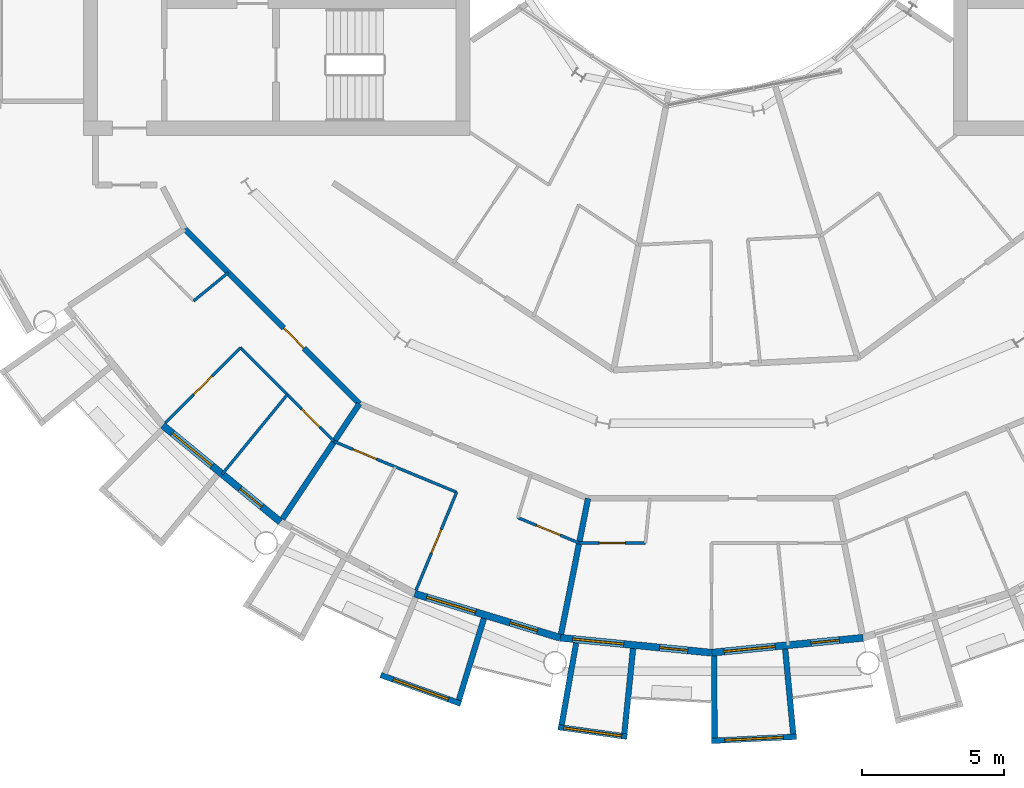
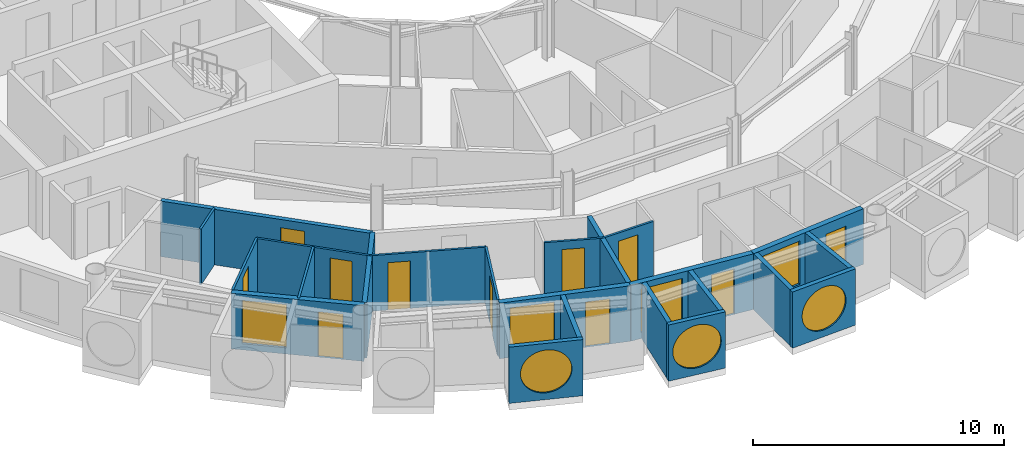
# One storey, part 14 of 27: 23 walls, 11 doors, 7 windows, 18 openings.
"""IFC4 building model written with IfcOpenShell, lengths in metres."""

from ifc_helpers import new_model, si_unit, direction, frame, frame_2d, origin, place, context, subcontext, project, spatial, rectangle, circle, extrude, material, layer, layer_set, type_object, element, fill, save


model = new_model("IFC4")

# Units and contexts
model_context = context("Model", 3, precision=1e-05, world=origin(), true_north=direction((0.0, 1.0)))
body_context = subcontext(model_context, "Body", "Model", "MODEL_VIEW")
ifc_project = project(units=[si_unit("LENGTHUNIT", "METRE"), si_unit("AREAUNIT", "SQUARE_METRE"), si_unit("VOLUMEUNIT", "CUBIC_METRE"), si_unit("PLANEANGLEUNIT", "RADIAN"), si_unit("MASSUNIT", "GRAM", prefix="KILO")], contexts=[model_context])

# Site, building, storey
site_placement = place(None, origin())
site = spatial("IfcSite", under=ifc_project, at=site_placement, CompositionType="ELEMENT")
building_placement = place(site_placement, origin())
building = spatial("IfcBuilding", under=site, at=building_placement, Name="Maasbend Ring Residences", CompositionType="ELEMENT")
storey_placement = place(building_placement, frame((0.0, 0.0, 167.699951171875)))
storey = spatial("IfcBuildingStorey", under=building, at=storey_placement, Name="L48", CompositionType="ELEMENT", Elevation=167.699951171875)

# Wall, opening, door
ifc_material_1 = material(Name="Concrete C30/37", Category="concrete")
ifc_layer_1 = layer(ifc_material_1, 0.199951171875)
ifc_layer_set_1 = layer_set([ifc_layer_1], Name="Concrete C30/37")
wall_type_1 = type_object("IfcWallType", Name="CORRIDOR WALL 200 CONCRETE", PredefinedType="PARTITIONING", material=ifc_layer_set_1)
wall_1_placement = place(storey_placement, frame((-18.5419921875, -12.388916015625, 0.0), z_axis=(0.0, 0.0, 1.0), x_axis=(0.707106781187, -0.707106781187, 0.0)))
wall_1 = element("IfcWall", 1, at=wall_1_placement, inside=storey, type_object=wall_type_1, Name="U-L48-w013", PredefinedType="PARTITIONING", context=body_context, shape_type="SweptSolid", body=[
    extrude(rectangle(XDim=8.70166015625, YDim=0.199951171875, at=frame_2d((4.350830078125, 0.0))), origin(), (0.0, 0.0, 1.0), 2.699951171875),
])
opening_1_placement = place(wall_1_placement, frame((4.93798828125, 0.0, 0.0)))
opening_1 = element("IfcOpeningElement", 2, at=opening_1_placement, cuts=wall_1, Name="Opening D-4834", PredefinedType="OPENING", context=body_context, shape_type="SweptSolid", body=[
    extrude(rectangle(XDim=1.0, YDim=2.300048828125, at=frame_2d((0.5, 1.14990234375))), frame((0.0, 0.10986328125, 0.0), z_axis=(0.0, -1.0, 0.0), x_axis=(1.0, 0.0, 0.0)), (0.0, 0.0, 1.0), 0.219970703125),
])
ifc_material_2 = material(Name="Timber, fire-rated, painted", Category="wood")
door_type_1 = type_object("IfcDoorType", Name="FLAT ENTRANCE DOOR 1000 X 2300 FIRE-RATED", OperationType="NOTDEFINED", PredefinedType="DOOR", material=ifc_material_2)
door_1_placement = place(opening_1_placement, origin())
door_1 = element("IfcDoor", 3, at=door_1_placement, inside=storey, type_object=door_type_1, Name="D-4834", OperationType="SINGLE_SWING_RIGHT", OverallHeight=2.300048828125, OverallWidth=1.0, PredefinedType="DOOR", context=body_context, shape_type="SweptSolid", body=[
    extrude(rectangle(XDim=1.0, YDim=2.300048828125, at=frame_2d((0.5, 1.14990234375))), frame((0.0, 0.02490234375, 0.0), z_axis=(0.0, -1.0, 0.0), x_axis=(1.0, 0.0, 0.0)), (0.0, 0.0, 1.0), 0.050048828125),
])
fill(opening_1, door_1)

# Wall, opening, window
ifc_material_3 = material(Name="Pale anodised aluminium panel", Category="aluminium")
ifc_layer_2 = layer(ifc_material_3, 0.199951171875)
ifc_layer_set_2 = layer_set([ifc_layer_2], Name="EW-BOX")
wall_type_2 = type_object("IfcWallType", Name="EW-BOX", PredefinedType="SOLIDWALL", material=ifc_layer_set_2)
wall_2_placement = place(storey_placement, frame((-11.637939453125, -28.083984375, -0.030029296875), z_axis=(0.0, 0.0, 1.0), x_axis=(0.941461077774, -0.337121697664, 0.0)))
wall_2 = element("IfcWall", 4, at=wall_2_placement, inside=storey, type_object=wall_type_2, Name="Box front S07", PredefinedType="SOLIDWALL", context=body_context, shape_type="SweptSolid", body=[
    extrude(rectangle(XDim=2.9931640625, YDim=0.199951171875, at=frame_2d((1.49658203125, 0.0))), origin(), (0.0, 0.0, 1.0), 2.72998046875),
])
opening_2_placement = place(wall_2_placement, frame((0.45654296875, 0.0, 0.330078125)))
opening_2 = element("IfcOpeningElement", 5, at=opening_2_placement, cuts=wall_2, Name="Opening W-RD", PredefinedType="OPENING", context=body_context, shape_type="SweptSolid", body=[
    extrude(circle(Radius=1.0400390625, at=frame_2d((1.0400390625, 1.0400390625))), frame((0.0, 0.10986328125, 0.0), z_axis=(0.0, -1.0, 0.0), x_axis=(1.0, 0.0, 0.0)), (0.0, 0.0, 1.0), 0.219970703125),
])
ifc_material_4 = material(Name="Aluminium and clear glass", Category="aluminium")
window_type_1 = type_object("IfcWindowType", Name="W-RD", PartitioningType="SINGLE_PANEL", PredefinedType="WINDOW", material=ifc_material_4)
window_1_placement = place(opening_2_placement, origin())
window_1 = element("IfcWindow", 6, at=window_1_placement, inside=storey, type_object=window_type_1, Name="Round window S07", OverallHeight=2.080078125, OverallWidth=2.080078125, PartitioningType="SINGLE_PANEL", PredefinedType="WINDOW", context=body_context, shape_type="SweptSolid", body=[
    extrude(circle(Radius=1.0400390625, at=frame_2d((1.0400390625, 1.0400390625))), frame((0.0, 0.030029296875, 0.0), z_axis=(0.0, -1.0, 0.0), x_axis=(1.0, 0.0, 0.0)), (0.0, 0.0, 1.0), 0.06005859375),
])
fill(opening_2, window_1)

# Wall
wall_3_placement = place(storey_placement, frame((-8.009033203125, -26.092041015625, -0.030029296875), z_axis=(0.0, 0.0, 1.0), x_axis=(-0.293406695073, -0.955987715029, 0.0)))
element("IfcWall", 7, at=wall_3_placement, inside=storey, type_object=wall_type_2, Name="Box side wall S07 right", PredefinedType="SOLIDWALL", context=body_context, shape_type="SweptSolid", body=[
    extrude(rectangle(XDim=3.00634765625, YDim=0.199951171875, at=frame_2d((1.503173828125, 0.0))), origin(), (0.0, 0.0, 1.0), 2.72998046875),
])

# Wall, opening, window
wall_4_placement = place(storey_placement, frame((-5.39794921875, -29.9169921875, -0.030029296875), z_axis=(0.0, 0.0, 1.0), x_axis=(0.990462016113, -0.137786046596, 0.0)))
wall_4 = element("IfcWall", 8, at=wall_4_placement, inside=storey, type_object=wall_type_2, Name="Box front S09", PredefinedType="SOLIDWALL", context=body_context, shape_type="SweptSolid", body=[
    extrude(rectangle(XDim=2.4453125, YDim=0.199951171875, at=frame_2d((1.22265625, 0.0))), origin(), (0.0, 0.0, 1.0), 2.72998046875),
])
opening_3_placement = place(wall_4_placement, frame((0.182861328125, 0.0, 0.330078125)))
opening_3 = element("IfcOpeningElement", 9, at=opening_3_placement, cuts=wall_4, Name="Opening W-RD", PredefinedType="OPENING", context=body_context, shape_type="SweptSolid", body=[
    extrude(circle(Radius=1.0400390625, at=frame_2d((1.0400390625, 1.0400390625))), frame((0.0, 0.10986328125, 0.0), z_axis=(0.0, -1.0, 0.0), x_axis=(1.0, 0.0, 0.0)), (0.0, 0.0, 1.0), 0.219970703125),
])
window_2_placement = place(opening_3_placement, origin())
window_2 = element("IfcWindow", 10, at=window_2_placement, inside=storey, type_object=window_type_1, Name="Round window S09", OverallHeight=2.080078125, OverallWidth=2.080078125, PartitioningType="SINGLE_PANEL", PredefinedType="WINDOW", context=body_context, shape_type="SweptSolid", body=[
    extrude(circle(Radius=1.0400390625, at=frame_2d((1.0400390625, 1.0400390625))), frame((0.0, 0.030029296875, 0.0), z_axis=(0.0, -1.0, 0.0), x_axis=(1.0, 0.0, 0.0)), (0.0, 0.0, 1.0), 0.06005859375),
])
fill(opening_3, window_2)

# Walls
wall_5_placement = place(storey_placement, frame((-4.76904296875, -26.9560546875, -0.030029296875), z_axis=(0.0, 0.0, 1.0), x_axis=(-0.174056778901, -0.984735618183, 0.0)))
element("IfcWall", 11, at=wall_5_placement, inside=storey, type_object=wall_type_2, Name="Box side wall S09 left", PredefinedType="SOLIDWALL", context=body_context, shape_type="SweptSolid", body=[
    extrude(rectangle(XDim=2.924560546875, YDim=0.199951171875, at=frame_2d((1.46240234375, 0.0))), origin(), (0.0, 0.0, 1.0), 2.72998046875),
])
wall_6_placement = place(storey_placement, frame((-2.763916015625, -27.153076171875, -0.030029296875), z_axis=(0.0, 0.0, 1.0), x_axis=(-0.101505487237, -0.994834979311, 0.0)))
element("IfcWall", 12, at=wall_6_placement, inside=storey, type_object=wall_type_2, Name="Box side wall S09 right", PredefinedType="SOLIDWALL", context=body_context, shape_type="SweptSolid", body=[
    extrude(rectangle(XDim=3.006591796875, YDim=0.199951171875, at=frame_2d((1.50341796875, 0.0))), origin(), (0.0, 0.0, 1.0), 2.72998046875),
])

# Wall, opening, window
wall_7_placement = place(storey_placement, frame((-0.0048828125, -30.39990234375, -0.030029296875), z_axis=(0.0, 0.0, 1.0), x_axis=(0.998794083011, 0.049095618353, 0.0)))
wall_7 = element("IfcWall", 13, at=wall_7_placement, inside=storey, type_object=wall_type_2, Name="Box front S11", PredefinedType="SOLIDWALL", context=body_context, shape_type="SweptSolid", body=[
    extrude(rectangle(XDim=2.99365234375, YDim=0.199951171875, at=frame_2d((1.496826171875, 0.0))), origin(), (0.0, 0.0, 1.0), 2.72998046875),
])
opening_4_placement = place(wall_7_placement, frame((0.45654296875, 0.0, 0.330078125)))
opening_4 = element("IfcOpeningElement", 14, at=opening_4_placement, cuts=wall_7, Name="Opening W-RD", PredefinedType="OPENING", context=body_context, shape_type="SweptSolid", body=[
    extrude(circle(Radius=1.0400390625, at=frame_2d((1.0400390625, 1.0400390625))), frame((0.0, 0.10986328125, 0.0), z_axis=(0.0, -1.0, 0.0), x_axis=(1.0, 0.0, 0.0)), (0.0, 0.0, 1.0), 0.219970703125),
])
window_3_placement = place(opening_4_placement, origin())
window_3 = element("IfcWindow", 15, at=window_3_placement, inside=storey, type_object=window_type_1, Name="Round window S11", OverallHeight=2.080078125, OverallWidth=2.080078125, PartitioningType="SINGLE_PANEL", PredefinedType="WINDOW", context=body_context, shape_type="SweptSolid", body=[
    extrude(circle(Radius=1.0400390625, at=frame_2d((1.0400390625, 1.0400390625))), frame((0.0, 0.030029296875, 0.0), z_axis=(0.0, -1.0, 0.0), x_axis=(1.0, 0.0, 0.0)), (0.0, 0.0, 1.0), 0.06005859375),
])
fill(opening_4, window_3)

# Walls
wall_8_placement = place(storey_placement, frame((0.090087890625, -27.4169921875, -0.030029296875), z_axis=(0.0, 0.0, 1.0), x_axis=(0.00347308367, -0.999993968827, 0.0)))
element("IfcWall", 16, at=wall_8_placement, inside=storey, type_object=wall_type_2, Name="Box side wall S11 left", PredefinedType="SOLIDWALL", context=body_context, shape_type="SweptSolid", body=[
    extrude(rectangle(XDim=2.882080078125, YDim=0.199951171875, at=frame_2d((1.44091796875, 0.0))), origin(), (0.0, 0.0, 1.0), 2.72998046875),
])
wall_9_placement = place(storey_placement, frame((2.5859375, -27.1708984375, -0.030029296875), z_axis=(0.0, 0.0, 1.0), x_axis=(0.094548432284, -0.995520262954, 0.0)))
element("IfcWall", 17, at=wall_9_placement, inside=storey, type_object=wall_type_2, Name="Box side wall S11 right", PredefinedType="SOLIDWALL", context=body_context, shape_type="SweptSolid", body=[
    extrude(rectangle(XDim=3.005615234375, YDim=0.199951171875, at=frame_2d((1.5029296875, 0.0))), origin(), (0.0, 0.0, 1.0), 2.72998046875),
])

# Wall, openings, door, window
ifc_material_5 = material(Name="Aluminium clad insulated panel", Category="aluminium")
ifc_layer_3 = layer(ifc_material_5, 0.25)
ifc_layer_set_3 = layer_set([ifc_layer_3], Name="EW-GL")
wall_type_3 = type_object("IfcWallType", Name="EW-GL", PredefinedType="SOLIDWALL", material=ifc_layer_set_3)
wall_10_placement = place(storey_placement, frame((-19.303955078125, -19.303955078125, 0.0), z_axis=(0.0, 0.0, 1.0), x_axis=(0.773019449054, -0.634382322723, 0.0)))
wall_10 = element("IfcWall", 18, at=wall_10_placement, inside=storey, type_object=wall_type_3, Name="External wall S02", PredefinedType="SOLIDWALL", context=body_context, shape_type="SweptSolid", body=[
    extrude(rectangle(XDim=5.351806640625, YDim=0.25, at=frame_2d((2.67578125, 0.0))), origin(), (0.0, 0.0, 1.0), 2.699951171875),
])
opening_5_placement = place(wall_10_placement, frame((0.441162109375, 0.0, 0.300048828125)))
opening_5 = element("IfcOpeningElement", 19, at=opening_5_placement, cuts=wall_10, Name="Opening W-BX", PredefinedType="OPENING", context=body_context, shape_type="SweptSolid", body=[
    extrude(rectangle(XDim=1.800048828125, YDim=2.10009765625, at=frame_2d((0.89990234375, 1.050048828125))), frame((0.0, 0.135009765625, 0.0), z_axis=(0.0, -1.0, 0.0), x_axis=(1.0, 0.0, 0.0)), (0.0, 0.0, 1.0), 0.27001953125),
])
opening_6_placement = place(wall_10_placement, frame((3.510498046875, 0.0, 0.0)))
opening_6 = element("IfcOpeningElement", 20, at=opening_6_placement, cuts=wall_10, Name="Opening D-LG", PredefinedType="OPENING", context=body_context, shape_type="SweptSolid", body=[
    extrude(rectangle(XDim=1.0, YDim=2.199951171875, at=frame_2d((0.5, 1.10009765625))), frame((0.0, 0.135009765625, 0.0), z_axis=(0.0, -1.0, 0.0), x_axis=(1.0, 0.0, 0.0)), (0.0, 0.0, 1.0), 0.27001953125),
])
ifc_material_6 = material(Name="Aluminium and clear glass", Category="aluminium")
door_type_2 = type_object("IfcDoorType", Name="D-LG", OperationType="SINGLE_SWING_LEFT", PredefinedType="DOOR", material=ifc_material_6)
door_2_placement = place(opening_6_placement, origin())
door_2 = element("IfcDoor", 21, at=door_2_placement, inside=storey, type_object=door_type_2, Name="Loggia door S04", OperationType="SINGLE_SWING_LEFT", OverallHeight=2.199951171875, OverallWidth=1.0, PredefinedType="DOOR", context=body_context, shape_type="SweptSolid", body=[
    extrude(rectangle(XDim=1.0, YDim=2.199951171875, at=frame_2d((0.5, 1.10009765625))), frame((0.0, 0.02490234375, 0.0), z_axis=(0.0, -1.0, 0.0), x_axis=(1.0, 0.0, 0.0)), (0.0, 0.0, 1.0), 0.050048828125),
])
fill(opening_6, door_2)
ifc_material_7 = material(Name="Aluminium and clear glass", Category="aluminium")
window_type_2 = type_object("IfcWindowType", Name="W-BX", PartitioningType="DOUBLE_PANEL_VERTICAL", PredefinedType="WINDOW", material=ifc_material_7)
window_4_placement = place(opening_5_placement, origin())
window_4 = element("IfcWindow", 22, at=window_4_placement, inside=storey, type_object=window_type_2, Name="Window S03 room to box", OverallHeight=2.10009765625, OverallWidth=1.800048828125, PartitioningType="SINGLE_PANEL", PredefinedType="WINDOW", context=body_context, shape_type="SweptSolid", body=[
    extrude(rectangle(XDim=1.800048828125, YDim=2.10009765625, at=frame_2d((0.89990234375, 1.050048828125))), frame((0.0, 0.030029296875, 0.0), z_axis=(0.0, -1.0, 0.0), x_axis=(1.0, 0.0, 0.0)), (0.0, 0.0, 1.0), 0.06005859375),
])
fill(opening_5, window_4)

wall_11_placement = place(storey_placement, frame((-10.447021484375, -25.221923828125, 0.0), z_axis=(0.0, 0.0, 1.0), x_axis=(0.956965678721, -0.290201119486, 0.0)))
wall_11 = element("IfcWall", 23, at=wall_11_placement, inside=storey, type_object=wall_type_3, Name="External wall S04", PredefinedType="SOLIDWALL", context=body_context, shape_type="SweptSolid", body=[
    extrude(rectangle(XDim=5.351318359375, YDim=0.25, at=frame_2d((2.67578125, 0.0))), origin(), (0.0, 0.0, 1.0), 2.699951171875),
])
opening_7_placement = place(wall_11_placement, frame((0.441162109375, 0.0, 0.300048828125)))
opening_7 = element("IfcOpeningElement", 24, at=opening_7_placement, cuts=wall_11, Name="Opening W-BX", PredefinedType="OPENING", context=body_context, shape_type="SweptSolid", body=[
    extrude(rectangle(XDim=1.800048828125, YDim=2.10009765625, at=frame_2d((0.89990234375, 1.050048828125))), frame((0.0, 0.135009765625, 0.0), z_axis=(0.0, -1.0, 0.0), x_axis=(1.0, 0.0, 0.0)), (0.0, 0.0, 1.0), 0.27001953125),
])
opening_8_placement = place(wall_11_placement, frame((3.510498046875, 0.0, 0.0)))
opening_8 = element("IfcOpeningElement", 25, at=opening_8_placement, cuts=wall_11, Name="Opening D-LG", PredefinedType="OPENING", context=body_context, shape_type="SweptSolid", body=[
    extrude(rectangle(XDim=1.0, YDim=2.199951171875, at=frame_2d((0.5, 1.10009765625))), frame((0.0, 0.135009765625, 0.0), z_axis=(0.0, -1.0, 0.0), x_axis=(1.0, 0.0, 0.0)), (0.0, 0.0, 1.0), 0.27001953125),
])
door_3_placement = place(opening_8_placement, origin())
door_3 = element("IfcDoor", 26, at=door_3_placement, inside=storey, type_object=door_type_2, Name="Loggia door S08", OperationType="SINGLE_SWING_LEFT", OverallHeight=2.199951171875, OverallWidth=1.0, PredefinedType="DOOR", context=body_context, shape_type="SweptSolid", body=[
    extrude(rectangle(XDim=1.0, YDim=2.199951171875, at=frame_2d((0.5, 1.10009765625))), frame((0.0, 0.02490234375, 0.0), z_axis=(0.0, -1.0, 0.0), x_axis=(1.0, 0.0, 0.0)), (0.0, 0.0, 1.0), 0.050048828125),
])
fill(opening_8, door_3)
window_5_placement = place(opening_7_placement, origin())
window_5 = element("IfcWindow", 27, at=window_5_placement, inside=storey, type_object=window_type_2, Name="Window S07 room to box", OverallHeight=2.10009765625, OverallWidth=1.800048828125, PartitioningType="SINGLE_PANEL", PredefinedType="WINDOW", context=body_context, shape_type="SweptSolid", body=[
    extrude(rectangle(XDim=1.800048828125, YDim=2.10009765625, at=frame_2d((0.89990234375, 1.050048828125))), frame((0.0, 0.030029296875, 0.0), z_axis=(0.0, -1.0, 0.0), x_axis=(1.0, 0.0, 0.0)), (0.0, 0.0, 1.0), 0.06005859375),
])
fill(opening_7, window_5)

wall_12_placement = place(storey_placement, frame((-5.325927734375, -26.77490234375, 0.0), z_axis=(0.0, 0.0, 1.0), x_axis=(0.995173996315, -0.098126026407, 0.0)))
wall_12 = element("IfcWall", 28, at=wall_12_placement, inside=storey, type_object=wall_type_3, Name="External wall S05", PredefinedType="SOLIDWALL", context=body_context, shape_type="SweptSolid", body=[
    extrude(rectangle(XDim=5.351806640625, YDim=0.25, at=frame_2d((2.67578125, 0.0))), origin(), (0.0, 0.0, 1.0), 2.699951171875),
])
opening_9_placement = place(wall_12_placement, frame((0.441162109375, 0.0, 0.300048828125)))
opening_9 = element("IfcOpeningElement", 29, at=opening_9_placement, cuts=wall_12, Name="Opening W-BX", PredefinedType="OPENING", context=body_context, shape_type="SweptSolid", body=[
    extrude(rectangle(XDim=1.800048828125, YDim=2.10009765625, at=frame_2d((0.89990234375, 1.050048828125))), frame((0.0, 0.135009765625, 0.0), z_axis=(0.0, -1.0, 0.0), x_axis=(1.0, 0.0, 0.0)), (0.0, 0.0, 1.0), 0.27001953125),
])
opening_10_placement = place(wall_12_placement, frame((3.510498046875, 0.0, 0.0)))
opening_10 = element("IfcOpeningElement", 30, at=opening_10_placement, cuts=wall_12, Name="Opening D-LG", PredefinedType="OPENING", context=body_context, shape_type="SweptSolid", body=[
    extrude(rectangle(XDim=1.0, YDim=2.199951171875, at=frame_2d((0.5, 1.10009765625))), frame((0.0, 0.135009765625, 0.0), z_axis=(0.0, -1.0, 0.0), x_axis=(1.0, 0.0, 0.0)), (0.0, 0.0, 1.0), 0.27001953125),
])
door_4_placement = place(opening_10_placement, origin())
door_4 = element("IfcDoor", 31, at=door_4_placement, inside=storey, type_object=door_type_2, Name="Loggia door S10", OperationType="SINGLE_SWING_LEFT", OverallHeight=2.199951171875, OverallWidth=1.0, PredefinedType="DOOR", context=body_context, shape_type="SweptSolid", body=[
    extrude(rectangle(XDim=1.0, YDim=2.199951171875, at=frame_2d((0.5, 1.10009765625))), frame((0.0, 0.02490234375, 0.0), z_axis=(0.0, -1.0, 0.0), x_axis=(1.0, 0.0, 0.0)), (0.0, 0.0, 1.0), 0.050048828125),
])
fill(opening_10, door_4)
window_6_placement = place(opening_9_placement, origin())
window_6 = element("IfcWindow", 32, at=window_6_placement, inside=storey, type_object=window_type_2, Name="Window S09 room to box", OverallHeight=2.10009765625, OverallWidth=1.800048828125, PartitioningType="SINGLE_PANEL", PredefinedType="WINDOW", context=body_context, shape_type="SweptSolid", body=[
    extrude(rectangle(XDim=1.800048828125, YDim=2.10009765625, at=frame_2d((0.89990234375, 1.050048828125))), frame((0.0, 0.030029296875, 0.0), z_axis=(0.0, -1.0, 0.0), x_axis=(1.0, 0.0, 0.0)), (0.0, 0.0, 1.0), 0.06005859375),
])
fill(opening_9, window_6)

wall_13_placement = place(storey_placement, frame((0.0, -27.300048828125, 0.0), z_axis=(0.0, 0.0, 1.0), x_axis=(0.995173996315, 0.098126026407, 0.0)))
wall_13 = element("IfcWall", 33, at=wall_13_placement, inside=storey, type_object=wall_type_3, Name="External wall S06", PredefinedType="SOLIDWALL", context=body_context, shape_type="SweptSolid", body=[
    extrude(rectangle(XDim=5.351806640625, YDim=0.25, at=frame_2d((2.67578125, 0.0))), origin(), (0.0, 0.0, 1.0), 2.699951171875),
])
opening_11_placement = place(wall_13_placement, frame((0.441162109375, 0.0, 0.300048828125)))
opening_11 = element("IfcOpeningElement", 34, at=opening_11_placement, cuts=wall_13, Name="Opening W-BX", PredefinedType="OPENING", context=body_context, shape_type="SweptSolid", body=[
    extrude(rectangle(XDim=1.800048828125, YDim=2.10009765625, at=frame_2d((0.89990234375, 1.050048828125))), frame((0.0, 0.135009765625, 0.0), z_axis=(0.0, -1.0, 0.0), x_axis=(1.0, 0.0, 0.0)), (0.0, 0.0, 1.0), 0.27001953125),
])
opening_12_placement = place(wall_13_placement, frame((3.510498046875, 0.0, 0.0)))
opening_12 = element("IfcOpeningElement", 35, at=opening_12_placement, cuts=wall_13, Name="Opening D-LG", PredefinedType="OPENING", context=body_context, shape_type="SweptSolid", body=[
    extrude(rectangle(XDim=1.0, YDim=2.199951171875, at=frame_2d((0.5, 1.10009765625))), frame((0.0, 0.135009765625, 0.0), z_axis=(0.0, -1.0, 0.0), x_axis=(1.0, 0.0, 0.0)), (0.0, 0.0, 1.0), 0.27001953125),
])
door_5_placement = place(opening_12_placement, origin())
door_5 = element("IfcDoor", 36, at=door_5_placement, inside=storey, type_object=door_type_2, Name="Loggia door S12", OperationType="SINGLE_SWING_LEFT", OverallHeight=2.199951171875, OverallWidth=1.0, PredefinedType="DOOR", context=body_context, shape_type="SweptSolid", body=[
    extrude(rectangle(XDim=1.0, YDim=2.199951171875, at=frame_2d((0.5, 1.10009765625))), frame((0.0, 0.02490234375, 0.0), z_axis=(0.0, -1.0, 0.0), x_axis=(1.0, 0.0, 0.0)), (0.0, 0.0, 1.0), 0.050048828125),
])
fill(opening_12, door_5)
window_7_placement = place(opening_11_placement, origin())
window_7 = element("IfcWindow", 37, at=window_7_placement, inside=storey, type_object=window_type_2, Name="Window S11 room to box", OverallHeight=2.10009765625, OverallWidth=1.800048828125, PartitioningType="SINGLE_PANEL", PredefinedType="WINDOW", context=body_context, shape_type="SweptSolid", body=[
    extrude(rectangle(XDim=1.800048828125, YDim=2.10009765625, at=frame_2d((0.89990234375, 1.050048828125))), frame((0.0, 0.030029296875, 0.0), z_axis=(0.0, -1.0, 0.0), x_axis=(1.0, 0.0, 0.0)), (0.0, 0.0, 1.0), 0.06005859375),
])
fill(opening_11, window_7)

# Wall, opening, door
ifc_material_8 = material(Name="Gypsum board on steel studs", Category="steel")
ifc_layer_4 = layer(ifc_material_8, 0.10009765625)
ifc_layer_set_4 = layer_set([ifc_layer_4], Name="PARTITION 100 GYPSUM")
wall_type_4 = type_object("IfcWallType", Name="PARTITION 100 GYPSUM", PredefinedType="PARTITIONING", material=ifc_layer_set_4)
wall_14_placement = place(storey_placement, frame((-16.5810546875, -16.571044921875, 0.0), z_axis=(0.0, 0.0, 1.0), x_axis=(0.706923494552, -0.707290020325, 0.0)))
wall_14 = element("IfcWall", 38, at=wall_14_placement, inside=storey, type_object=wall_type_4, Name="U-L48-w002", PredefinedType="PARTITIONING", context=body_context, shape_type="SweptSolid", body=[
    extrude(rectangle(XDim=4.66259765625, YDim=0.10009765625, at=frame_2d((2.331298828125, 0.0))), origin(), (0.0, 0.0, 1.0), 2.699951171875),
])
opening_13_placement = place(wall_14_placement, frame((3.051025390625, 0.0, 0.0)))
opening_13 = element("IfcOpeningElement", 39, at=opening_13_placement, cuts=wall_14, Name="Opening D-4837", PredefinedType="OPENING", context=body_context, shape_type="SweptSolid", body=[
    extrude(rectangle(XDim=0.89990234375, YDim=2.300048828125, at=frame_2d((0.449951171875, 1.14990234375))), frame((0.0, 0.06005859375, 0.0), z_axis=(0.0, -1.0, 0.0), x_axis=(1.0, 0.0, 0.0)), (0.0, 0.0, 1.0), 0.1201171875),
])
ifc_material_9 = material(Name="Timber, painted", Category="wood")
door_type_3 = type_object("IfcDoorType", Name="INTERNAL DOOR 900 X 2300", OperationType="NOTDEFINED", PredefinedType="DOOR", material=ifc_material_9)
door_6_placement = place(opening_13_placement, origin())
door_6 = element("IfcDoor", 40, at=door_6_placement, inside=storey, type_object=door_type_3, Name="D-4837", OperationType="SINGLE_SWING_RIGHT", OverallHeight=2.300048828125, OverallWidth=0.89990234375, PredefinedType="DOOR", context=body_context, shape_type="SweptSolid", body=[
    extrude(rectangle(XDim=0.89990234375, YDim=2.300048828125, at=frame_2d((0.449951171875, 1.14990234375))), frame((0.0, 0.02490234375, 0.0), z_axis=(0.0, -1.0, 0.0), x_axis=(1.0, 0.0, 0.0)), (0.0, 0.0, 1.0), 0.050048828125),
])
fill(opening_13, door_6)

wall_15_placement = place(storey_placement, frame((-13.278076171875, -19.873046875, 0.0), z_axis=(0.0, 0.0, 1.0), x_axis=(0.923920484476, -0.38258455061, 0.0)))
wall_15 = element("IfcWall", 41, at=wall_15_placement, inside=storey, type_object=wall_type_4, Name="U-L48-w003", PredefinedType="PARTITIONING", context=body_context, shape_type="SweptSolid", body=[
    extrude(rectangle(XDim=4.662841796875, YDim=0.10009765625, at=frame_2d((2.33154296875, 0.0))), origin(), (0.0, 0.0, 1.0), 2.699951171875),
])
opening_14_placement = place(wall_15_placement, frame((0.715087890625, 0.0, 0.0)))
opening_14 = element("IfcOpeningElement", 42, at=opening_14_placement, cuts=wall_15, Name="Opening D-4841", PredefinedType="OPENING", context=body_context, shape_type="SweptSolid", body=[
    extrude(rectangle(XDim=0.89990234375, YDim=2.300048828125, at=frame_2d((0.449951171875, 1.14990234375))), frame((0.0, 0.06005859375, 0.0), z_axis=(0.0, -1.0, 0.0), x_axis=(1.0, 0.0, 0.0)), (0.0, 0.0, 1.0), 0.1201171875),
])
door_7_placement = place(opening_14_placement, origin())
door_7 = element("IfcDoor", 43, at=door_7_placement, inside=storey, type_object=door_type_3, Name="D-4841", OperationType="SINGLE_SWING_LEFT", OverallHeight=2.300048828125, OverallWidth=0.89990234375, PredefinedType="DOOR", context=body_context, shape_type="SweptSolid", body=[
    extrude(rectangle(XDim=0.89990234375, YDim=2.300048828125, at=frame_2d((0.449951171875, 1.14990234375))), frame((0.0, 0.02490234375, 0.0), z_axis=(0.0, -1.0, 0.0), x_axis=(1.0, 0.0, 0.0)), (0.0, 0.0, 1.0), 0.050048828125),
])
fill(opening_14, door_7)

wall_16_placement = place(storey_placement, frame((-6.81689453125, -22.549072265625, 0.0), z_axis=(0.0, 0.0, 1.0), x_axis=(0.923923664861, -0.382576870068, 0.0)))
wall_16 = element("IfcWall", 44, at=wall_16_placement, inside=storey, type_object=wall_type_4, Name="U-L48-w004", PredefinedType="PARTITIONING", context=body_context, shape_type="SweptSolid", body=[
    extrude(rectangle(XDim=2.3310546875, YDim=0.10009765625, at=frame_2d((1.16552734375, 0.0))), origin(), (0.0, 0.0, 1.0), 2.699951171875),
])
opening_15_placement = place(wall_16_placement, frame((0.716064453125, 0.0, 0.0)))
opening_15 = element("IfcOpeningElement", 45, at=opening_15_placement, cuts=wall_16, Name="Opening D-4839", PredefinedType="OPENING", context=body_context, shape_type="SweptSolid", body=[
    extrude(rectangle(XDim=0.89990234375, YDim=2.300048828125, at=frame_2d((0.449951171875, 1.14990234375))), frame((0.0, 0.06005859375, 0.0), z_axis=(0.0, -1.0, 0.0), x_axis=(1.0, 0.0, 0.0)), (0.0, 0.0, 1.0), 0.1201171875),
])
door_8_placement = place(opening_15_placement, origin())
door_8 = element("IfcDoor", 46, at=door_8_placement, inside=storey, type_object=door_type_3, Name="D-4839", OperationType="SINGLE_SWING_LEFT", OverallHeight=2.300048828125, OverallWidth=0.89990234375, PredefinedType="DOOR", context=body_context, shape_type="SweptSolid", body=[
    extrude(rectangle(XDim=0.89990234375, YDim=2.300048828125, at=frame_2d((0.449951171875, 1.14990234375))), frame((0.0, 0.02490234375, 0.0), z_axis=(0.0, -1.0, 0.0), x_axis=(1.0, 0.0, 0.0)), (0.0, 0.0, 1.0), 0.050048828125),
])
fill(opening_15, door_8)

wall_17_placement = place(storey_placement, frame((-4.6630859375, -23.44091796875, 0.0), z_axis=(0.0, 0.0, 1.0), x_axis=(1.0, 0.0, 0.0)))
wall_17 = element("IfcWall", 47, at=wall_17_placement, inside=storey, type_object=wall_type_4, Name="U-L48-w005", PredefinedType="PARTITIONING", context=body_context, shape_type="SweptSolid", body=[
    extrude(rectangle(XDim=2.33203125, YDim=0.10009765625, at=frame_2d((1.166015625, 0.0))), origin(), (0.0, 0.0, 1.0), 2.699951171875),
])
opening_16_placement = place(wall_17_placement, frame((0.716064453125, 0.0, 0.0)))
opening_16 = element("IfcOpeningElement", 48, at=opening_16_placement, cuts=wall_17, Name="Opening D-4843", PredefinedType="OPENING", context=body_context, shape_type="SweptSolid", body=[
    extrude(rectangle(XDim=0.89990234375, YDim=2.300048828125, at=frame_2d((0.449951171875, 1.14990234375))), frame((0.0, 0.06005859375, 0.0), z_axis=(0.0, -1.0, 0.0), x_axis=(1.0, 0.0, 0.0)), (0.0, 0.0, 1.0), 0.1201171875),
])
door_9_placement = place(opening_16_placement, origin())
door_9 = element("IfcDoor", 49, at=door_9_placement, inside=storey, type_object=door_type_3, Name="D-4843", OperationType="SINGLE_SWING_RIGHT", OverallHeight=2.300048828125, OverallWidth=0.89990234375, PredefinedType="DOOR", context=body_context, shape_type="SweptSolid", body=[
    extrude(rectangle(XDim=0.89990234375, YDim=2.300048828125, at=frame_2d((0.449951171875, 1.14990234375))), frame((0.0, 0.02490234375, 0.0), z_axis=(0.0, -1.0, 0.0), x_axis=(1.0, 0.0, 0.0)), (0.0, 0.0, 1.0), 0.050048828125),
])
fill(opening_16, door_9)

wall_18_placement = place(storey_placement, frame((-19.216064453125, -19.216064453125, 0.0), z_axis=(0.0, 0.0, 1.0), x_axis=(0.707106781187, 0.707106781187, 0.0)))
wall_18 = element("IfcWall", 50, at=wall_18_placement, inside=storey, type_object=wall_type_4, Name="U-L48-w038", PredefinedType="PARTITIONING", context=body_context, shape_type="SweptSolid", body=[
    extrude(rectangle(XDim=3.735107421875, YDim=0.10009765625, at=frame_2d((1.86767578125, 0.0))), origin(), (0.0, 0.0, 1.0), 2.699951171875),
])
opening_17_placement = place(wall_18_placement, frame((1.4169921875, 0.0, 0.0)))
opening_17 = element("IfcOpeningElement", 51, at=opening_17_placement, cuts=wall_18, Name="Opening D-4836", PredefinedType="OPENING", context=body_context, shape_type="SweptSolid", body=[
    extrude(rectangle(XDim=0.89990234375, YDim=2.300048828125, at=frame_2d((0.449951171875, 1.14990234375))), frame((0.0, 0.06005859375, 0.0), z_axis=(0.0, -1.0, 0.0), x_axis=(1.0, 0.0, 0.0)), (0.0, 0.0, 1.0), 0.1201171875),
])
door_10_placement = place(opening_17_placement, origin())
door_10 = element("IfcDoor", 52, at=door_10_placement, inside=storey, type_object=door_type_3, Name="D-4836", OperationType="SINGLE_SWING_LEFT", OverallHeight=2.300048828125, OverallWidth=0.89990234375, PredefinedType="DOOR", context=body_context, shape_type="SweptSolid", body=[
    extrude(rectangle(XDim=0.89990234375, YDim=2.300048828125, at=frame_2d((0.449951171875, 1.14990234375))), frame((0.0, 0.02490234375, 0.0), z_axis=(0.0, -1.0, 0.0), x_axis=(1.0, 0.0, 0.0)), (0.0, 0.0, 1.0), 0.050048828125),
])
fill(opening_17, door_10)

# Walls
wall_19_placement = place(storey_placement, frame((-18.221923828125, -14.929931640625, 0.0), z_axis=(0.0, 0.0, 1.0), x_axis=(0.773633255921, 0.633633636523, 0.0)))
element("IfcWall", 53, at=wall_19_placement, inside=storey, type_object=wall_type_4, Name="U-L48-w040", PredefinedType="PARTITIONING", context=body_context, shape_type="SweptSolid", body=[
    extrude(rectangle(XDim=1.578125, YDim=0.10009765625, at=frame_2d((0.7890625, 0.0))), origin(), (0.0, 0.0, 1.0), 2.699951171875),
])
wall_20_placement = place(storey_placement, frame((-17.219970703125, -21.02294921875, 0.0), z_axis=(0.0, 0.0, 1.0), x_axis=(0.633737383709, 0.773548271597, 0.0)))
element("IfcWall", 54, at=wall_20_placement, inside=storey, type_object=wall_type_4, Name="U-L48-w041", PredefinedType="PARTITIONING", context=body_context, shape_type="SweptSolid", body=[
    extrude(rectangle(XDim=3.6181640625, YDim=0.10009765625, at=frame_2d((1.80908203125, 0.0))), origin(), (0.0, 0.0, 1.0), 2.699951171875),
])

# Wall, opening, door
wall_21_placement = place(storey_placement, frame((-10.39892578125, -25.10595703125, 0.0), z_axis=(0.0, 0.0, 1.0), x_axis=(0.382669377748, 0.923885353999, 0.0)))
wall_21 = element("IfcWall", 55, at=wall_21_placement, inside=storey, type_object=wall_type_4, Name="U-L48-w048", PredefinedType="PARTITIONING", context=body_context, shape_type="SweptSolid", body=[
    extrude(rectangle(XDim=3.734130859375, YDim=0.10009765625, at=frame_2d((1.8671875, 0.0))), origin(), (0.0, 0.0, 1.0), 2.699951171875),
])
opening_18_placement = place(wall_21_placement, frame((1.4169921875, 0.0, 0.0)))
opening_18 = element("IfcOpeningElement", 56, at=opening_18_placement, cuts=wall_21, Name="Opening D-4840", PredefinedType="OPENING", context=body_context, shape_type="SweptSolid", body=[
    extrude(rectangle(XDim=0.89990234375, YDim=2.300048828125, at=frame_2d((0.449951171875, 1.14990234375))), frame((0.0, 0.06005859375, 0.0), z_axis=(0.0, -1.0, 0.0), x_axis=(1.0, 0.0, 0.0)), (0.0, 0.0, 1.0), 0.1201171875),
])
door_11_placement = place(opening_18_placement, origin())
door_11 = element("IfcDoor", 57, at=door_11_placement, inside=storey, type_object=door_type_3, Name="D-4840", OperationType="SINGLE_SWING_RIGHT", OverallHeight=2.300048828125, OverallWidth=0.89990234375, PredefinedType="DOOR", context=body_context, shape_type="SweptSolid", body=[
    extrude(rectangle(XDim=0.89990234375, YDim=2.300048828125, at=frame_2d((0.449951171875, 1.14990234375))), frame((0.0, 0.02490234375, 0.0), z_axis=(0.0, -1.0, 0.0), x_axis=(1.0, 0.0, 0.0)), (0.0, 0.0, 1.0), 0.050048828125),
])
fill(opening_18, door_11)

# Walls
ifc_material_10 = material(Name="Concrete C30/37", Category="concrete")
ifc_layer_5 = layer(ifc_material_10, 0.199951171875)
ifc_layer_set_5 = layer_set([ifc_layer_5], Name="Concrete C30/37")
wall_type_5 = type_object("IfcWallType", Name="PARTY WALL 200 CONCRETE", PredefinedType="PARTITIONING", material=ifc_layer_set_5)
wall_22_placement = place(storey_placement, frame((-15.096923828125, -22.595947265625, 0.0), z_axis=(0.0, 0.0, 1.0), x_axis=(0.555462686211, 0.831541462723, 0.0)))
element("IfcWall", 58, at=wall_22_placement, inside=storey, type_object=wall_type_5, Name="U-L48-w043", PredefinedType="PARTITIONING", context=body_context, shape_type="SweptSolid", body=[
    extrude(rectangle(XDim=4.875244140625, YDim=0.199951171875, at=frame_2d((2.4375, 0.0))), origin(), (0.0, 0.0, 1.0), 2.699951171875),
])
wall_23_placement = place(storey_placement, frame((-5.298095703125, -26.654052734375, 0.0), z_axis=(0.0, 0.0, 1.0), x_axis=(0.194931286287, 0.980816901173, 0.0)))
element("IfcWall", 59, at=wall_23_placement, inside=storey, type_object=wall_type_5, Name="U-L48-w056", PredefinedType="PARTITIONING", context=body_context, shape_type="SweptSolid", body=[
    extrude(rectangle(XDim=4.87451171875, YDim=0.199951171875, at=frame_2d((2.437255859375, 0.0))), origin(), (0.0, 0.0, 1.0), 2.699951171875),
])

save(model, "model.ifc")
